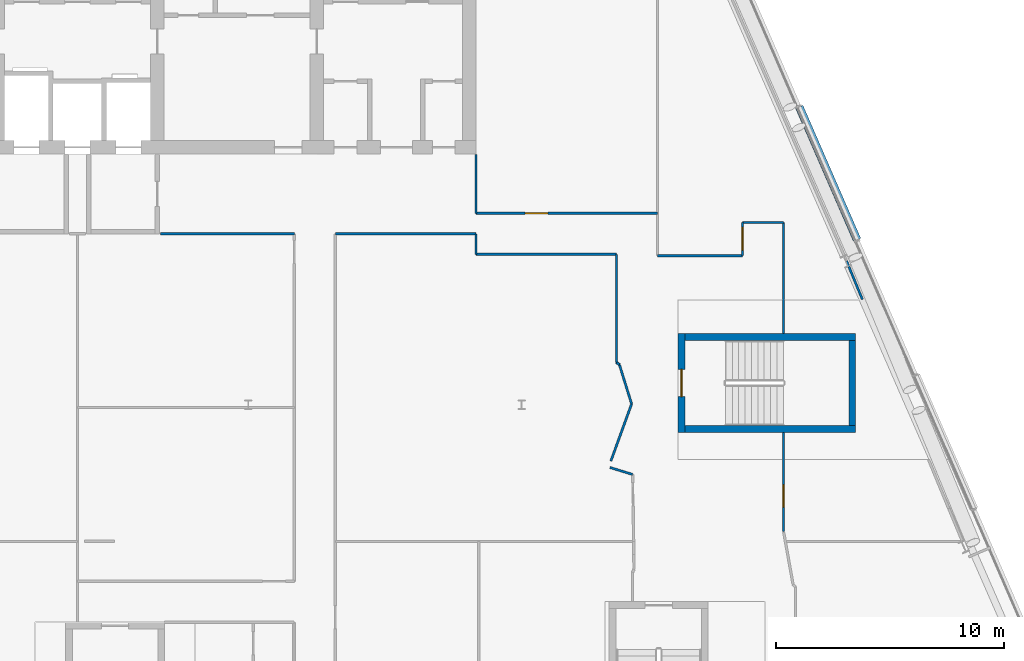
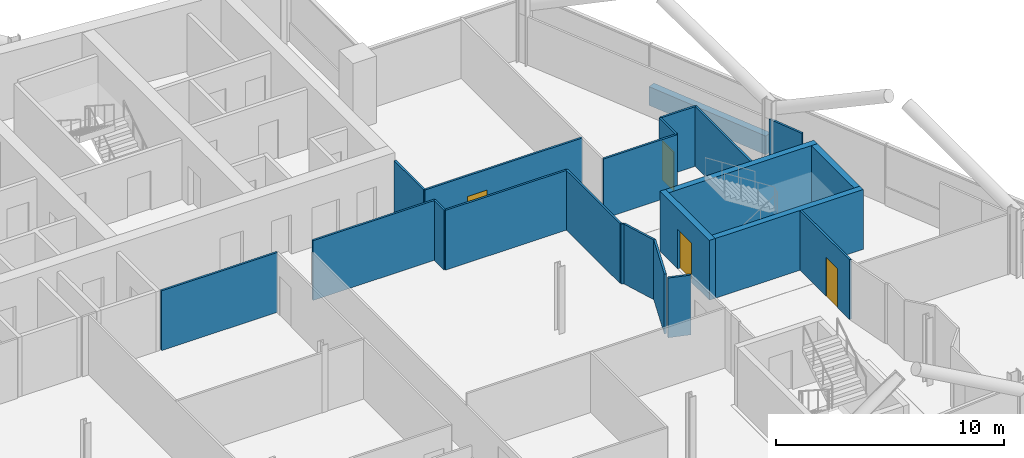
# One storey, part 18 of 28: 22 walls, 4 doors, 4 openings.
"""IFC4 building model written with IfcOpenShell, lengths in metres."""

from ifc_helpers import new_model, si_unit, direction, frame, frame_2d, origin, place, context, subcontext, project, spatial, rectangle, extrude, material, layer, layer_set, type_object, element, fill, save


model = new_model("IFC4")

# Units and contexts
model_context = context("Model", 3, precision=1e-05, world=origin(), true_north=direction((0.0, 1.0)))
body_context = subcontext(model_context, "Body", "Model", "MODEL_VIEW")
ifc_project = project(units=[si_unit("LENGTHUNIT", "METRE"), si_unit("AREAUNIT", "SQUARE_METRE"), si_unit("VOLUMEUNIT", "CUBIC_METRE"), si_unit("PLANEANGLEUNIT", "RADIAN"), si_unit("MASSUNIT", "GRAM", prefix="KILO")], contexts=[model_context])

# Site, building, storey
site_placement = place(None, origin())
site = spatial("IfcSite", under=ifc_project, at=site_placement, CompositionType="ELEMENT")
building_placement = place(site_placement, origin())
building = spatial("IfcBuilding", under=site, at=building_placement, Name="Wharfspan Tower", CompositionType="ELEMENT")
storey_placement = place(building_placement, frame((0.0, 0.0, 250.300049)))
storey = spatial("IfcBuildingStorey", under=building, at=storey_placement, Name="L63", CompositionType="ELEMENT", Elevation=250.300049)

# Walls
ifc_material_1 = material(Name="Gypsum board on steel studs", Category="steel")
ifc_layer_1 = layer(ifc_material_1, 0.100098)
ifc_layer_set_1 = layer_set([ifc_layer_1], Name="Gypsum board on steel studs")
wall_type_1 = type_object("IfcWallType", Name="Compartment wall 100 EI 60", PredefinedType="PARTITIONING", material=ifc_layer_set_1)
wall_1_placement = place(storey_placement, frame((51.820068, 30.5, 0.0), z_axis=(0.0, 0.0, 1.0), x_axis=(1.0, 0.0, 0.0)))
element("IfcWall", 1, at=wall_1_placement, inside=storey, type_object=wall_type_1, Name="Partition L63.w032", PredefinedType="PARTITIONING", context=body_context, shape_type="SweptSolid", body=[
    extrude(rectangle(XDim=6.179932, YDim=0.100098, at=frame_2d((3.089844, 0.0))), origin(), (0.0, 0.0, 1.0), 3.199951),
])
wall_2_placement = place(storey_placement, frame((58.0, 29.600098, 0.0), z_axis=(0.0, 0.0, 1.0), x_axis=(0.0, 1.0, 0.0)))
element("IfcWall", 2, at=wall_2_placement, inside=storey, type_object=wall_type_1, Name="Partition L63.w033", PredefinedType="PARTITIONING", context=body_context, shape_type="SweptSolid", body=[
    extrude(rectangle(XDim=0.899902, YDim=0.100098, at=frame_2d((0.449951, 0.0))), origin(), (0.0, 0.0, 1.0), 3.199951),
])
wall_3_placement = place(storey_placement, frame((58.0, 29.600098, 0.0), z_axis=(0.0, 0.0, 1.0), x_axis=(1.0, 0.0, 0.0)))
element("IfcWall", 3, at=wall_3_placement, inside=storey, type_object=wall_type_1, Name="Partition L63.w034", PredefinedType="PARTITIONING", context=body_context, shape_type="SweptSolid", body=[
    extrude(rectangle(XDim=6.169922, YDim=0.100098, at=frame_2d((3.084961, 0.0))), origin(), (0.0, 0.0, 1.0), 3.199951),
])
wall_4_placement = place(storey_placement, frame((58.0, 31.399902, 0.0), z_axis=(0.0, 0.0, 1.0), x_axis=(0.0, 1.0, 0.0)))
element("IfcWall", 4, at=wall_4_placement, inside=storey, type_object=wall_type_1, Name="Partition L63.w035", PredefinedType="PARTITIONING", context=body_context, shape_type="SweptSolid", body=[
    extrude(rectangle(XDim=2.580078, YDim=0.100098, at=frame_2d((1.290039, 0.0))), origin(), (0.0, 0.0, 1.0), 3.199951),
])

# Wall, opening, door
wall_5_placement = place(storey_placement, frame((58.0, 31.399902, 0.0), z_axis=(0.0, 0.0, 1.0), x_axis=(1.0, 0.0, 0.0)))
wall_5 = element("IfcWall", 5, at=wall_5_placement, inside=storey, type_object=wall_type_1, Name="Partition L63.w036", PredefinedType="PARTITIONING", context=body_context, shape_type="SweptSolid", body=[
    extrude(rectangle(XDim=7.969971, YDim=0.100098, at=frame_2d((3.984863, 0.0))), origin(), (0.0, 0.0, 1.0), 3.199951),
])
opening_1_placement = place(wall_5_placement, frame((2.149902, 0.0, 0.0)))
opening_1 = element("IfcOpeningElement", 6, at=opening_1_placement, cuts=wall_5, Name="Opening D6-18", PredefinedType="OPENING", context=body_context, shape_type="SweptSolid", body=[
    extrude(rectangle(XDim=1.0, YDim=2.100098, at=frame_2d((0.5, 1.050049))), frame((0.0, 0.060059, 0.0), z_axis=(0.0, -1.0, 0.0), x_axis=(1.0, 0.0, 0.0)), (0.0, 0.0, 1.0), 0.120117),
])
ifc_material_2 = material(Name="Fire-rated timber door leaf in steel frame", Category="steel")
door_type_1 = type_object("IfcDoorType", Name="Door 1000 FD30S Left", OperationType="SINGLE_SWING_LEFT", PredefinedType="DOOR", material=ifc_material_2)
door_1_placement = place(opening_1_placement, origin())
door_1 = element("IfcDoor", 7, at=door_1_placement, inside=storey, type_object=door_type_1, Name="Door D6-18", OperationType="SINGLE_SWING_LEFT", OverallHeight=2.100098, OverallWidth=1.0, PredefinedType="DOOR", context=body_context, shape_type="SweptSolid", body=[
    extrude(rectangle(XDim=1.0, YDim=2.100098, at=frame_2d((0.5, 1.050049))), frame((0.0, 0.024902, 0.0), z_axis=(0.0, -1.0, 0.0), x_axis=(1.0, 0.0, 0.0)), (0.0, 0.0, 1.0), 0.050049),
])
fill(opening_1, door_1)

# Walls
wall_6_placement = place(storey_placement, frame((63.919922, 20.524902, 0.0), z_axis=(0.0, 0.0, 1.0), x_axis=(0.341478, 0.939889, 0.0)))
element("IfcWall", 8, at=wall_6_placement, inside=storey, type_object=wall_type_1, Name="Partition L63.w040", PredefinedType="PARTITIONING", context=body_context, shape_type="SweptSolid", body=[
    extrude(rectangle(XDim=2.665283, YDim=0.100098, at=frame_2d((1.33252, 0.0))), origin(), (0.0, 0.0, 1.0), 3.199951),
])
wall_7_placement = place(storey_placement, frame((64.169922, 24.850098, 0.0), z_axis=(0.0, 0.0, 1.0), x_axis=(0.0, 1.0, 0.0)))
element("IfcWall", 9, at=wall_7_placement, inside=storey, type_object=wall_type_1, Name="Partition L63.w041", PredefinedType="PARTITIONING", context=body_context, shape_type="SweptSolid", body=[
    extrude(rectangle(XDim=4.75, YDim=0.100098, at=frame_2d((2.375, 0.0))), origin(), (0.0, 0.0, 1.0), 3.199951),
])
wall_8_placement = place(storey_placement, frame((64.294922, 24.754883, 0.0), z_axis=(0.0, 0.0, 1.0), x_axis=(-0.795501, 0.605948, 0.0)))
element("IfcWall", 10, at=wall_8_placement, inside=storey, type_object=wall_type_1, Name="Partition L63.w042", PredefinedType="PARTITIONING", context=body_context, shape_type="SweptSolid", body=[
    extrude(rectangle(XDim=0.157227, YDim=0.100098, at=frame_2d((0.078613, 0.0))), origin(), (0.0, 0.0, 1.0), 3.199951),
])
wall_9_placement = place(storey_placement, frame((64.830078, 23.030029, 0.0), z_axis=(0.0, 0.0, 1.0), x_axis=(-0.296328, 0.95509, 0.0)))
element("IfcWall", 11, at=wall_9_placement, inside=storey, type_object=wall_type_1, Name="Partition L63.w043", PredefinedType="PARTITIONING", context=body_context, shape_type="SweptSolid", body=[
    extrude(rectangle(XDim=1.805908, YDim=0.100098, at=frame_2d((0.902832, 0.0))), origin(), (0.0, 0.0, 1.0), 3.199951),
])
wall_10_placement = place(storey_placement, frame((64.875, 19.935059, 0.0), z_axis=(0.0, 0.0, 1.0), x_axis=(-0.956114, 0.29298, 0.0)))
element("IfcWall", 12, at=wall_10_placement, inside=storey, type_object=wall_type_1, Name="Partition L63.w046", PredefinedType="PARTITIONING", context=body_context, shape_type="SweptSolid", body=[
    extrude(rectangle(XDim=1.040771, YDim=0.100098, at=frame_2d((0.520508, 0.0))), origin(), (0.0, 0.0, 1.0), 3.199951),
])
wall_11_placement = place(storey_placement, frame((65.975098, 29.540039, 0.0), z_axis=(0.0, 0.0, 1.0), x_axis=(1.0, 0.0, 0.0)))
element("IfcWall", 13, at=wall_11_placement, inside=storey, type_object=wall_type_1, Name="Partition L63.w051", PredefinedType="PARTITIONING", context=body_context, shape_type="SweptSolid", body=[
    extrude(rectangle(XDim=3.724854, YDim=0.100098, at=frame_2d((1.862305, 0.0))), origin(), (0.0, 0.0, 1.0), 3.199951),
])

# Wall, opening, door
wall_12_placement = place(storey_placement, frame((69.699951, 29.540039, 0.0), z_axis=(0.0, 0.0, 1.0), x_axis=(0.0, 1.0, 0.0)))
wall_12 = element("IfcWall", 14, at=wall_12_placement, inside=storey, type_object=wall_type_1, Name="Partition L63.w052", PredefinedType="PARTITIONING", context=body_context, shape_type="SweptSolid", body=[
    extrude(rectangle(XDim=1.459961, YDim=0.100098, at=frame_2d((0.72998, 0.0))), origin(), (0.0, 0.0, 1.0), 3.199951),
])
opening_2_placement = place(wall_12_placement, frame((0.23999, 0.0, 0.0)))
opening_2 = element("IfcOpeningElement", 15, at=opening_2_placement, cuts=wall_12, Name="Opening D6-17", PredefinedType="OPENING", context=body_context, shape_type="SweptSolid", body=[
    extrude(rectangle(XDim=1.0, YDim=2.100098, at=frame_2d((0.5, 1.050049))), frame((0.0, 0.060059, 0.0), z_axis=(0.0, -1.0, 0.0), x_axis=(1.0, 0.0, 0.0)), (0.0, 0.0, 1.0), 0.120117),
])
door_type_2 = type_object("IfcDoorType", Name="Door 1000 FD30S Right", OperationType="SINGLE_SWING_RIGHT", PredefinedType="DOOR", material=ifc_material_2)
door_2_placement = place(opening_2_placement, origin())
door_2 = element("IfcDoor", 16, at=door_2_placement, inside=storey, type_object=door_type_2, Name="Door D6-17", OperationType="SINGLE_SWING_RIGHT", OverallHeight=2.100098, OverallWidth=1.0, PredefinedType="DOOR", context=body_context, shape_type="SweptSolid", body=[
    extrude(rectangle(XDim=1.0, YDim=2.100098, at=frame_2d((0.5, 1.050049))), frame((0.0, 0.024902, 0.0), z_axis=(0.0, -1.0, 0.0), x_axis=(1.0, 0.0, 0.0)), (0.0, 0.0, 1.0), 0.050049),
])
fill(opening_2, door_2)

# Wall
wall_13_placement = place(storey_placement, frame((69.699951, 31.0, 0.0), z_axis=(0.0, 0.0, 1.0), x_axis=(1.0, 0.0, 0.0)))
element("IfcWall", 17, at=wall_13_placement, inside=storey, type_object=wall_type_1, Name="Partition L63.w053", PredefinedType="PARTITIONING", context=body_context, shape_type="SweptSolid", body=[
    extrude(rectangle(XDim=1.800049, YDim=0.100098, at=frame_2d((0.899902, 0.0))), origin(), (0.0, 0.0, 1.0), 3.199951),
])

# Wall, opening, door
wall_14_placement = place(storey_placement, frame((71.5, 17.429932, 0.0), z_axis=(0.0, 0.0, 1.0), x_axis=(0.0, 1.0, 0.0)))
wall_14 = element("IfcWall", 18, at=wall_14_placement, inside=storey, type_object=wall_type_1, Name="Partition L63.w054", PredefinedType="PARTITIONING", context=body_context, shape_type="SweptSolid", body=[
    extrude(rectangle(XDim=4.344971, YDim=0.100098, at=frame_2d((2.172363, 0.0))), origin(), (0.0, 0.0, 1.0), 3.199951),
])
opening_3_placement = place(wall_14_placement, frame((1.058838, 0.0, 0.0)))
opening_3 = element("IfcOpeningElement", 19, at=opening_3_placement, cuts=wall_14, Name="Opening D6-11", PredefinedType="OPENING", context=body_context, shape_type="SweptSolid", body=[
    extrude(rectangle(XDim=1.0, YDim=2.100098, at=frame_2d((0.5, 1.050049))), frame((0.0, 0.060059, 0.0), z_axis=(0.0, -1.0, 0.0), x_axis=(1.0, 0.0, 0.0)), (0.0, 0.0, 1.0), 0.120117),
])
door_3_placement = place(opening_3_placement, origin())
door_3 = element("IfcDoor", 20, at=door_3_placement, inside=storey, type_object=door_type_1, Name="Door D6-11", OperationType="SINGLE_SWING_LEFT", OverallHeight=2.100098, OverallWidth=1.0, PredefinedType="DOOR", context=body_context, shape_type="SweptSolid", body=[
    extrude(rectangle(XDim=1.0, YDim=2.100098, at=frame_2d((0.5, 1.050049))), frame((0.0, 0.024902, 0.0), z_axis=(0.0, -1.0, 0.0), x_axis=(1.0, 0.0, 0.0)), (0.0, 0.0, 1.0), 0.050049),
])
fill(opening_3, door_3)

# Walls
wall_15_placement = place(storey_placement, frame((71.5, 26.125, 0.0), z_axis=(0.0, 0.0, 1.0), x_axis=(0.0, 1.0, 0.0)))
element("IfcWall", 21, at=wall_15_placement, inside=storey, type_object=wall_type_1, Name="Partition L63.w055", PredefinedType="PARTITIONING", context=body_context, shape_type="SweptSolid", body=[
    extrude(rectangle(XDim=4.875, YDim=0.100098, at=frame_2d((2.4375, 0.0))), origin(), (0.0, 0.0, 1.0), 3.199951),
])
wall_16_placement = place(storey_placement, frame((44.149902, 30.5, 0.0), z_axis=(0.0, 0.0, 1.0), x_axis=(1.0, 0.0, 0.0)))
element("IfcWall", 22, at=wall_16_placement, inside=storey, type_object=wall_type_1, Name="Partition L63.w015 (3)", PredefinedType="PARTITIONING", context=body_context, shape_type="SweptSolid", body=[
    extrude(rectangle(XDim=5.870117, YDim=0.100098, at=frame_2d((2.935059, 0.0))), origin(), (0.0, 0.0, 1.0), 3.199951),
])
ifc_layer_2 = layer(ifc_material_1, 0.100098)
ifc_layer_set_2 = layer_set([ifc_layer_2], Name="Gypsum board on steel studs")
wall_type_2 = type_object("IfcWallType", Name="Partition 100", PredefinedType="PARTITIONING", material=ifc_layer_set_2)
wall_17_placement = place(storey_placement, frame((74.961914, 27.620117, 0.0), z_axis=(0.0, 0.0, 1.0), x_axis=(-0.381293, 0.924452, 0.0)))
element("IfcWall", 23, at=wall_17_placement, inside=storey, type_object=wall_type_2, Name="Partition L63.w067", PredefinedType="PARTITIONING", context=body_context, shape_type="SweptSolid", body=[
    extrude(rectangle(XDim=1.828125, YDim=0.100098, at=frame_2d((0.914062, 0.0))), origin(), (0.0, 0.0, 1.0), 2.579834),
])
ifc_material_3 = material(Name="Concrete C40/50", Category="concrete")
ifc_layer_3 = layer(ifc_material_3, 0.350098)
ifc_layer_set_3 = layer_set([ifc_layer_3], Name="Concrete C40/50")
wall_type_3 = type_object("IfcWallType", Name="SPANDREL EXPOSED CONCRETE 350", PredefinedType="SOLIDWALL", material=ifc_layer_set_3)
wall_18_placement = place(storey_placement, frame((74.731689, 30.229492, 0.0), z_axis=(0.0, 0.0, 1.0), x_axis=(-0.398722, 0.917072, 0.0)))
element("IfcWall", 24, at=wall_18_placement, inside=storey, type_object=wall_type_3, Name="Spandrel upstand L63 E 4", PredefinedType="SOLIDWALL", context=body_context, shape_type="SweptSolid", body=[
    extrude(rectangle(XDim=6.373535, YDim=0.350098, at=frame_2d((3.186768, 0.0))), origin(), (0.0, 0.0, 1.0), 1.0),
])

# Wall, opening, door
ifc_layer_4 = layer(ifc_material_3, 0.300049)
ifc_layer_set_4 = layer_set([ifc_layer_4], Name="Concrete C40/50")
wall_type_4 = type_object("IfcWallType", Name="Stair core wall 300", PredefinedType="SHEAR", material=ifc_layer_set_4)
wall_19_placement = place(storey_placement, frame((67.019531, 21.774902, 0.0), z_axis=(0.0, 0.0, 1.0), x_axis=(0.0, 1.0, 0.0)))
wall_19 = element("IfcWall", 25, at=wall_19_placement, inside=storey, type_object=wall_type_4, Name="ST6 stair enclosure wall L63", PredefinedType="SHEAR", context=body_context, shape_type="SweptSolid", body=[
    extrude(rectangle(XDim=4.350098, YDim=0.300049, at=frame_2d((2.175049, 0.0))), origin(), (0.0, 0.0, 1.0), 3.199951),
])
opening_4_placement = place(wall_19_placement, frame((1.574951, 0.0, 0.0)))
opening_4 = element("IfcOpeningElement", 26, at=opening_4_placement, cuts=wall_19, Name="Opening SD6.L63", PredefinedType="OPENING", context=body_context, shape_type="SweptSolid", body=[
    extrude(rectangle(XDim=1.199951, YDim=2.100098, at=frame_2d((0.600098, 1.050049))), frame((0.0, 0.159912, 0.0), z_axis=(0.0, -1.0, 0.0), x_axis=(1.0, 0.0, 0.0)), (0.0, 0.0, 1.0), 0.320068),
])
ifc_material_4 = material(Name="Steel door leaf", Category="steel")
door_type_3 = type_object("IfcDoorType", Name="Stair door 1200x2100", OperationType="SINGLE_SWING_LEFT", PredefinedType="DOOR", material=ifc_material_4)
door_4_placement = place(opening_4_placement, origin())
door_4 = element("IfcDoor", 27, at=door_4_placement, inside=storey, type_object=door_type_3, Name="sd:L63:ST6z4", OperationType="SINGLE_SWING_RIGHT", OverallHeight=2.100098, OverallWidth=1.199951, PredefinedType="DOOR", context=body_context, shape_type="SweptSolid", body=[
    extrude(rectangle(XDim=1.199951, YDim=2.100098, at=frame_2d((0.600098, 1.050049))), frame((0.0, 0.024902, 0.0), z_axis=(0.0, -1.0, 0.0), x_axis=(1.0, 0.0, 0.0)), (0.0, 0.0, 1.0), 0.050049),
])
fill(opening_4, door_4)

# Walls
for number, where, z_axis, x_axis, name in (
    (28, (67.169678, 21.925049, 0.0), (0.0, 0.0, 1.0), (1.0, 0.0, 0.0), "ST6 stair enclosure wall L63"),
    (29, (67.169678, 25.975098, 0.0), (0.0, 0.0, 1.0), (1.0, 0.0, 0.0), "ST6 stair enclosure wall L63"),
):
    element("IfcWall", number, at=place(storey_placement, frame(where, z_axis=z_axis, x_axis=x_axis)), inside=storey, type_object=wall_type_4, Name=name, PredefinedType="SHEAR", context=body_context, shape_type="SweptSolid", body=[
        extrude(rectangle(XDim=7.5, YDim=0.300049, at=frame_2d((3.75, 0.0))), origin(), (0.0, 0.0, 1.0), 3.199951),
    ])
wall_20_placement = place(storey_placement, frame((74.519531, 22.074951, 0.0), z_axis=(0.0, 0.0, 1.0), x_axis=(0.0, 1.0, 0.0)))
element("IfcWall", 30, at=wall_20_placement, inside=storey, type_object=wall_type_4, Name="ST6 stair enclosure wall L63", PredefinedType="SHEAR", context=body_context, shape_type="SweptSolid", body=[
    extrude(rectangle(XDim=3.75, YDim=0.300049, at=frame_2d((1.875, 0.0))), origin(), (0.0, 0.0, 1.0), 3.199951),
])

save(model, "model.ifc")
